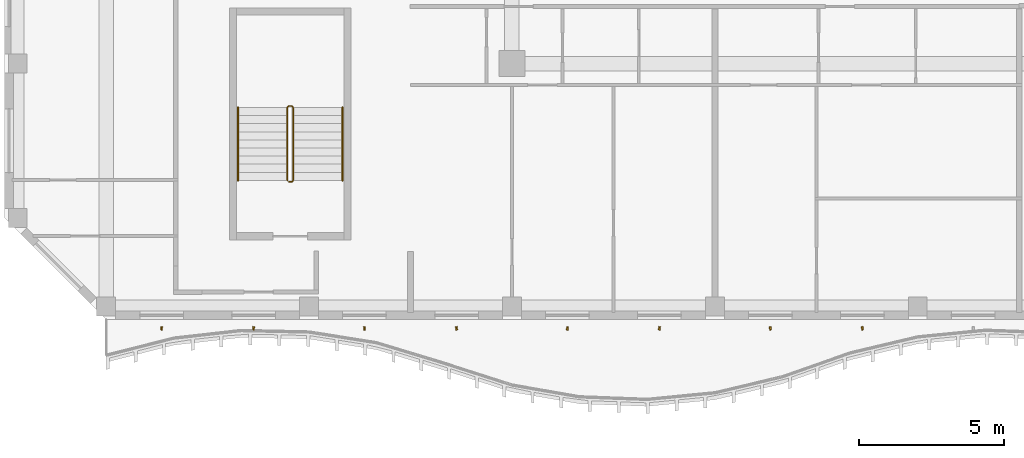
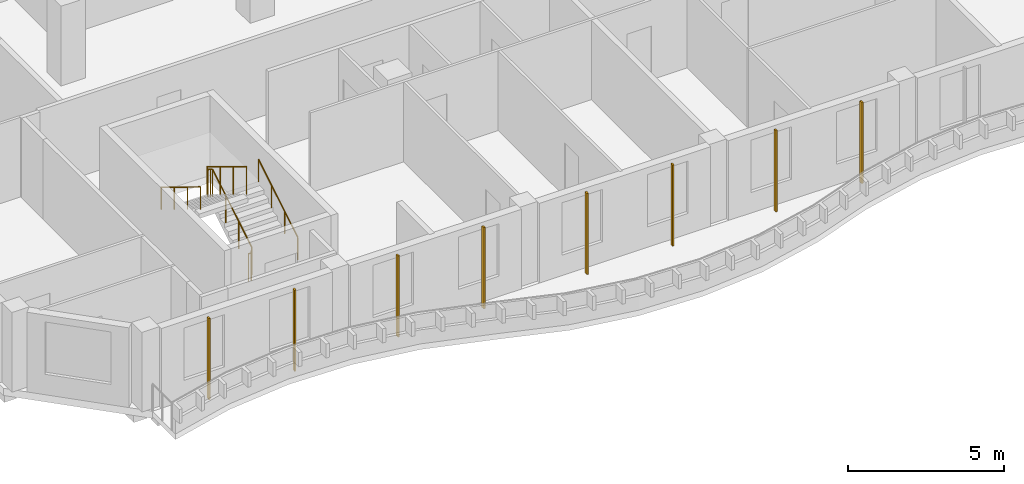
# One storey, part 12 of 16: 8 shading devices, 3 railings.
"""IFC4 building model written with IfcOpenShell, lengths in metres."""

from ifc_helpers import new_model, si_unit, direction, frame, origin, origin_2d, place, context, subcontext, project, spatial, rectangle, circle, extrude, source, transform, mapped, material, material_profile, profile_set, type_object, element, save


model = new_model("IFC4")

# Units and contexts
model_context = context("Model", 3, precision=1e-05, world=origin(), true_north=direction((0.0, 1.0)))
body_context = subcontext(model_context, "Body", "Model", "MODEL_VIEW")
ifc_project = project(units=[si_unit("LENGTHUNIT", "METRE"), si_unit("AREAUNIT", "SQUARE_METRE"), si_unit("VOLUMEUNIT", "CUBIC_METRE"), si_unit("PLANEANGLEUNIT", "RADIAN"), si_unit("MASSUNIT", "GRAM", prefix="KILO")], contexts=[model_context])

# Site, building, storey
site_placement = place(None, origin())
site = spatial("IfcSite", under=ifc_project, at=site_placement, CompositionType="ELEMENT")
building_placement = place(site_placement, origin())
building = spatial("IfcBuilding", under=site, at=building_placement, Name="Kilnfold Tower and Market Hall", CompositionType="ELEMENT")
storey_placement = place(building_placement, frame((0.0, 0.0, 284.0)))
storey = spatial("IfcBuildingStorey", under=building, at=storey_placement, Name="L70", CompositionType="ELEMENT", Elevation=284.0)

# Railings
ifc_material_1 = material(Name="Stainless steel 316", Category="steel")
railing_type_1 = type_object("IfcRailingType", Name="CORE STAIR GUARD 1100", PredefinedType="GUARDRAIL", material=ifc_material_1)
railing_1_placement = place(storey_placement, frame((-15.699951171875, -13.75, 0.0)))
element("IfcRailing", 1, at=railing_1_placement, inside=storey, type_object=railing_type_1, Name="L70 ST3 stair guard 1", PredefinedType="GUARDRAIL", context=body_context, shape_type="SweptSolid", body=[
    extrude(circle(Radius=0.02392578125, at=origin_2d()), frame((0.0, 0.0, 1.076171875), z_axis=(1.0, 0.0, 0.0), x_axis=(0.0, 1.0, 0.0)), (0.0, 0.0, 1.0), 0.099853515625),
    extrude(circle(Radius=0.02392578125, at=origin_2d()), frame((0.099853515625, 0.0, 1.076171875), z_axis=(0.271895245746, 0.271895245746, 0.923117517265), x_axis=(-0.707106781187, 0.707106781187, 0.0)), (0.0, 0.0, 1.0), 0.18408203125),
    extrude(circle(Radius=0.02392578125, at=origin_2d()), frame((0.14990234375, 0.050048828125, 1.24609375), z_axis=(0.0, 0.85478489116, 0.518982456201), x_axis=(-1.0, 0.0, 0.0)), (0.0, 0.0, 1.0), 2.9482421875),
    extrude(circle(Radius=0.02392578125, at=origin_2d()), frame((0.14990234375, 2.570068359375, 2.77587890625), z_axis=(-0.707106781187, 0.707106781187, 0.0), x_axis=(-0.707106781187, -0.707106781187, 0.0)), (0.0, 0.0, 1.0), 0.07080078125),
    extrude(circle(Radius=0.02392578125, at=origin_2d()), frame((0.099853515625, 2.6201171875, 2.77587890625), z_axis=(-1.0, 0.0, 0.0), x_axis=(0.0, -1.0, 0.0)), (0.0, 0.0, 1.0), 0.099853515625),
    extrude(circle(Radius=0.02392578125, at=origin_2d()), frame((0.0, 2.6201171875, 2.77587890625), z_axis=(-0.271562723297, -0.271562723297, 0.923313259209), x_axis=(0.707106781187, -0.707106781187, 0.0)), (0.0, 0.0, 1.0), 0.184326171875),
    extrude(circle(Radius=0.02392578125, at=origin_2d()), frame((-0.050048828125, 2.570068359375, 2.9462890625), z_axis=(0.0, -0.854821627497, 0.518921945155), x_axis=(1.0, 0.0, 0.0)), (0.0, 0.0, 1.0), 2.947998046875),
    extrude(circle(Radius=0.02099609375, at=origin_2d()), origin(), (0.0, 0.0, 1.0), 1.052001953125),
    extrude(circle(Radius=0.02099609375, at=origin_2d()), frame((0.099853515625, 0.0, 0.0)), (0.0, 0.0, 1.0), 1.052001953125),
    extrude(circle(Radius=0.02099609375, at=origin_2d()), frame((0.14990234375, 0.050048828125, 0.169921875)), (0.0, 0.0, 1.0), 1.052001953125),
    extrude(circle(Radius=0.02099609375, at=origin_2d()), frame((0.14990234375, 0.89013671875, 0.679931640625)), (0.0, 0.0, 1.0), 1.052001953125),
    extrude(circle(Radius=0.02099609375, at=origin_2d()), frame((0.14990234375, 1.72998046875, 1.18994140625)), (0.0, 0.0, 1.0), 1.052001953125),
    extrude(circle(Radius=0.02099609375, at=origin_2d()), frame((0.14990234375, 2.570068359375, 1.699951171875)), (0.0, 0.0, 1.0), 1.052001953125),
    extrude(circle(Radius=0.02099609375, at=origin_2d()), frame((0.099853515625, 2.6201171875, 1.699951171875)), (0.0, 0.0, 1.0), 1.052001953125),
    extrude(circle(Radius=0.02099609375, at=origin_2d()), frame((0.0, 2.6201171875, 1.699951171875)), (0.0, 0.0, 1.0), 1.052001953125),
    extrude(circle(Radius=0.02099609375, at=origin_2d()), frame((-0.050048828125, 2.570068359375, 1.8701171875)), (0.0, 0.0, 1.0), 1.052001953125),
    extrude(circle(Radius=0.02099609375, at=origin_2d()), frame((-0.050048828125, 1.72998046875, 2.380126953125)), (0.0, 0.0, 1.0), 1.052001953125),
    extrude(circle(Radius=0.02099609375, at=origin_2d()), frame((-0.050048828125, 0.89013671875, 2.889892578125)), (0.0, 0.0, 1.0), 1.052001953125),
    extrude(circle(Radius=0.02099609375, at=origin_2d()), frame((-0.050048828125, 0.050048828125, 3.39990234375)), (0.0, 0.0, 1.0), 1.052001953125),
])
ifc_material_2 = material(Name="Stainless steel 316", Category="steel")
railing_type_2 = type_object("IfcRailingType", Name="CORE STAIR HANDRAIL 900", PredefinedType="HANDRAIL", material=ifc_material_2)
railing_2_placement = place(storey_placement, frame((-13.85009765625, -13.699951171875, 0.169921875)))
element("IfcRailing", 2, at=railing_2_placement, inside=storey, type_object=railing_type_2, Name="L70 ST3 stair handrail 1", PredefinedType="HANDRAIL", context=body_context, shape_type="SweptSolid", body=[
    extrude(circle(Radius=0.02392578125, at=origin_2d()), frame((0.0, 0.0, 0.8759765625), z_axis=(0.0, 0.85478489116, 0.518982456201), x_axis=(-1.0, 0.0, 0.0)), (0.0, 0.0, 1.0), 2.9482421875),
    extrude(circle(Radius=0.02099609375, at=origin_2d()), origin(), (0.0, 0.0, 1.0), 0.851806640625),
    extrude(circle(Radius=0.02099609375, at=origin_2d()), frame((0.0, 0.840087890625, 0.510009765625)), (0.0, 0.0, 1.0), 0.851806640625),
    extrude(circle(Radius=0.02099609375, at=origin_2d()), frame((0.0, 1.679931640625, 1.02001953125)), (0.0, 0.0, 1.0), 0.851806640625),
    extrude(circle(Radius=0.02099609375, at=origin_2d()), frame((0.0, 2.52001953125, 1.530029296875)), (0.0, 0.0, 1.0), 0.851806640625),
])
railing_3_placement = place(storey_placement, frame((-17.449951171875, -11.179931640625, 1.8701171875)))
element("IfcRailing", 3, at=railing_3_placement, inside=storey, type_object=railing_type_2, Name="L70 ST3 stair handrail 2", PredefinedType="HANDRAIL", context=body_context, shape_type="SweptSolid", body=[
    extrude(circle(Radius=0.02392578125, at=origin_2d()), frame((0.0, 0.0, 0.8759765625), z_axis=(0.0, -0.854821627497, 0.518921945155), x_axis=(1.0, 0.0, 0.0)), (0.0, 0.0, 1.0), 2.947998046875),
    extrude(circle(Radius=0.02099609375, at=origin_2d()), origin(), (0.0, 0.0, 1.0), 0.851806640625),
    extrude(circle(Radius=0.02099609375, at=origin_2d()), frame((0.0, -0.840087890625, 0.510009765625)), (0.0, 0.0, 1.0), 0.851806640625),
    extrude(circle(Radius=0.02099609375, at=origin_2d()), frame((0.0, -1.679931640625, 1.019775390625)), (0.0, 0.0, 1.0), 0.851806640625),
    extrude(circle(Radius=0.02099609375, at=origin_2d()), frame((0.0, -2.52001953125, 1.52978515625)), (0.0, 0.0, 1.0), 0.851806640625),
])

# Shading devices
ifc_material_3 = material(Name="Terracotta", Category="masonry")
ifc_material_profile = material_profile(ifc_material_3, rectangle(XDim=0.06005859375, YDim=0.1201171875, at=origin_2d()), Name="BAG 60x120")
ifc_profile_set = profile_set([ifc_material_profile], Name="Terracotta")
shading_device_type = type_object("IfcShadingDeviceType", Name="BAGUETTE", PredefinedType="USERDEFINED", material=ifc_profile_set)
shared_shape = source(origin(), body_context, "Body", "SweptSolid", [
    extrude(rectangle(XDim=0.06005859375, YDim=0.1201171875, at=origin_2d()), origin(), (0.0, 0.0, 1.0), 3.179931640625),
])
for number, where, z_axis, x_axis, name in (
    (4, (-20.08740234375, -18.800048828125, 0.0), (0.0, 0.0, 1.0), (0.997057169272, -0.076661601884, 0.0), "Terracotta baguette L70 S"),
    (5, (-16.91259765625, -18.800048828125, 0.0), (0.0, 0.0, 1.0), (0.992001425153, -0.126226671091, 0.0), "Terracotta baguette L70 S"),
    (6, (-13.08740234375, -18.800048828125, 0.0), (0.0, 0.0, 1.0), (0.997057169272, 0.076661601884, 0.0), "Terracotta baguette L70 S"),
    (7, (-9.91259765625, -18.800048828125, 0.0), (0.0, 0.0, 1.0), (0.992001425153, 0.126226671091, 0.0), "Terracotta baguette L70 S"),
    (8, (-6.08740234375, -18.800048828125, 0.0), (0.0, 0.0, 1.0), (0.997057169272, -0.076661601884, 0.0), "Terracotta baguette L70 S"),
    (9, (-2.91259765625, -18.800048828125, 0.0), (0.0, 0.0, 1.0), (0.992001425153, -0.126226671091, 0.0), "Terracotta baguette L70 S"),
    (10, (0.91259765625, -18.800048828125, 0.0), (0.0, 0.0, 1.0), (0.997057169272, 0.076661601884, 0.0), "Terracotta baguette L70 S"),
    (11, (4.08740234375, -18.800048828125, 0.0), (0.0, 0.0, 1.0), (0.992001425153, 0.126226671091, 0.0), "Terracotta baguette L70 S"),
):
    element("IfcShadingDevice", number, at=place(storey_placement, frame(where, z_axis=z_axis, x_axis=x_axis)), inside=storey, type_object=shading_device_type, Name=name, ObjectType="BAGUETTE", PredefinedType="USERDEFINED", context=body_context, shape_type="MappedRepresentation", body=[
        mapped(shared_shape, transform((0.0, 0.0, 0.0))),
    ])

save(model, "model.ifc")
